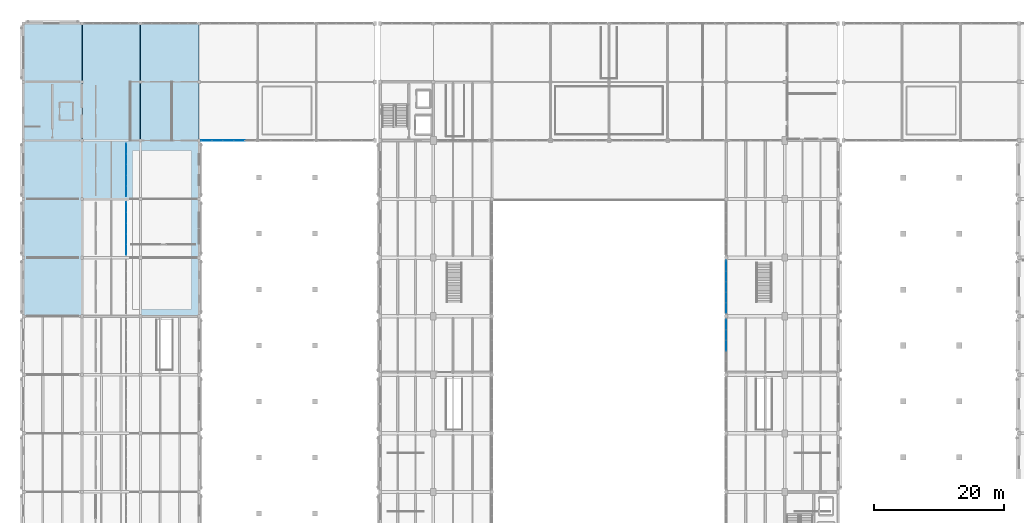
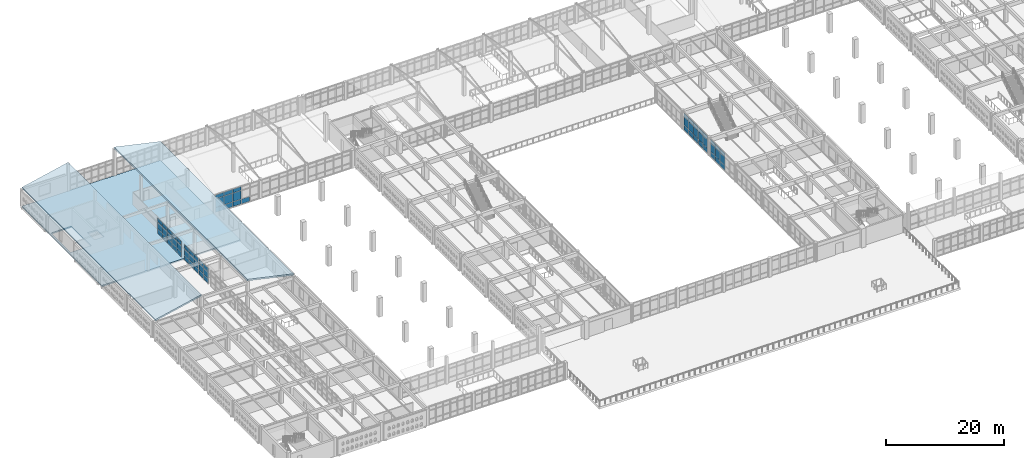
# One storey, part 112 of 156: 64 plates, 3 slabs, 5 elements without a shape of their own.
"""IFC4 building model written with IfcOpenShell, lengths in metres."""

from ifc_helpers import new_model, si_unit, direction, frame, origin, origin_2d, place, context, subcontext, project, spatial, polyline, rectangle, outline, extrude, material, layer, layer_set, type_object, element, aggregate, save


model = new_model("IFC4")

# Units and contexts
model_context = context("Model", 3, precision=1e-05, world=origin(), true_north=direction((0.0, 1.0)))
body_context = subcontext(model_context, "Body", "Model", "MODEL_VIEW")
ifc_project = project(units=[si_unit("LENGTHUNIT", "METRE"), si_unit("AREAUNIT", "SQUARE_METRE"), si_unit("VOLUMEUNIT", "CUBIC_METRE"), si_unit("PLANEANGLEUNIT", "RADIAN"), si_unit("MASSUNIT", "GRAM", prefix="KILO")], contexts=[model_context])

# Site, building, storey
site_placement = place(None, origin())
site = spatial("IfcSite", under=ifc_project, at=site_placement, CompositionType="ELEMENT")
building_placement = place(site_placement, origin())
building = spatial("IfcBuilding", under=site, at=building_placement, Name="Ornek Quay Market", CompositionType="ELEMENT")
storey_placement = place(building_placement, frame((0.0, 0.0, 4.5)))
storey = spatial("IfcBuildingStorey", under=building, at=storey_placement, Name="L01", CompositionType="ELEMENT", Elevation=4.5)

# Curtain wall, plates
ifc_material_1 = material(Name="Anodised bronze aluminium and triple low-e glass", Category="aluminium")
ifc_layer_1 = layer(ifc_material_1, 0.139892578125, Name="Anodised bronze aluminium and triple low-e glass", Category="aluminium")
ifc_layer_set_1 = layer_set([ifc_layer_1], Name="Anodised bronze aluminium and triple low-e glass")
curtain_wall_type_1 = type_object("IfcCurtainWallType", Name="CW-GALLERY-INT", PredefinedType="USERDEFINED", material=ifc_layer_set_1)
curtain_wall_1_placement = place(storey_placement, origin())
curtain_wall_1 = element("IfcCurtainWall", 1, at=curtain_wall_1_placement, inside=storey, type_object=curtain_wall_type_1, Name="Curtain wall CW-106", ObjectType="CURTAIN WALL", PredefinedType="USERDEFINED")
ifc_material_2 = material(Name="Toughened laminated acoustic glass", Category="glass")
ifc_layer_2 = layer(ifc_material_2, 0.01611328125, Name="Toughened laminated acoustic glass", Category="glass")
ifc_layer_set_2 = layer_set([ifc_layer_2], Name="Toughened laminated acoustic glass")
plate_type_1 = type_object("IfcPlateType", Name="PL-CW-INT-16", PredefinedType="CURTAIN_PANEL", material=ifc_layer_set_2)
plate_1_placement = place(storey_placement, frame((108.0, 60.5, 0.06005859375), z_axis=(0.0, 0.0, 1.0), x_axis=(0.0, 1.0, 0.0)))
plate_1 = element("IfcPlate", 2, at=plate_1_placement, type_object=plate_type_1, Name="CW-106 panel 3.1", PredefinedType="CURTAIN_PANEL", context=body_context, shape_type="SweptSolid", body=[
    extrude(rectangle(XDim=1.56005859375, YDim=0.01611328125, at=origin_2d()), origin(), (0.0, 0.0, 1.0), 0.9599609375),
])
plate_2_placement = place(storey_placement, frame((108.0, 60.5, 1.080078125), z_axis=(0.0, 0.0, 1.0), x_axis=(0.0, 1.0, 0.0)))
plate_2 = element("IfcPlate", 3, at=plate_2_placement, type_object=plate_type_1, Name="CW-106 panel 3.2", PredefinedType="CURTAIN_PANEL", context=body_context, shape_type="SweptSolid", body=[
    extrude(rectangle(XDim=1.56005859375, YDim=0.01611328125, at=origin_2d()), origin(), (0.0, 0.0, 1.0), 1.699951171875),
])
plate_3_placement = place(storey_placement, frame((108.0, 60.5, 2.83984375), z_axis=(0.0, 0.0, 1.0), x_axis=(0.0, 1.0, 0.0)))
plate_3 = element("IfcPlate", 4, at=plate_3_placement, type_object=plate_type_1, Name="CW-106 panel 3.3", PredefinedType="CURTAIN_PANEL", context=body_context, shape_type="SweptSolid", body=[
    extrude(rectangle(XDim=1.56005859375, YDim=0.01611328125, at=origin_2d()), origin(), (0.0, 0.0, 1.0), 0.760009765625),
])
plate_4_placement = place(storey_placement, frame((108.0, 62.1201171875, 0.06005859375), z_axis=(0.0, 0.0, 1.0), x_axis=(0.0, 1.0, 0.0)))
plate_4 = element("IfcPlate", 5, at=plate_4_placement, type_object=plate_type_1, Name="CW-106 panel 4.1", PredefinedType="CURTAIN_PANEL", context=body_context, shape_type="SweptSolid", body=[
    extrude(rectangle(XDim=1.56005859375, YDim=0.01611328125, at=origin_2d()), origin(), (0.0, 0.0, 1.0), 0.9599609375),
])
plate_5_placement = place(storey_placement, frame((108.0, 62.1201171875, 1.080078125), z_axis=(0.0, 0.0, 1.0), x_axis=(0.0, 1.0, 0.0)))
plate_5 = element("IfcPlate", 6, at=plate_5_placement, type_object=plate_type_1, Name="CW-106 panel 4.2", PredefinedType="CURTAIN_PANEL", context=body_context, shape_type="SweptSolid", body=[
    extrude(rectangle(XDim=1.56005859375, YDim=0.01611328125, at=origin_2d()), origin(), (0.0, 0.0, 1.0), 1.699951171875),
])
plate_6_placement = place(storey_placement, frame((108.0, 62.1201171875, 2.83984375), z_axis=(0.0, 0.0, 1.0), x_axis=(0.0, 1.0, 0.0)))
plate_6 = element("IfcPlate", 7, at=plate_6_placement, type_object=plate_type_1, Name="CW-106 panel 4.3", PredefinedType="CURTAIN_PANEL", context=body_context, shape_type="SweptSolid", body=[
    extrude(rectangle(XDim=1.56005859375, YDim=0.01611328125, at=origin_2d()), origin(), (0.0, 0.0, 1.0), 0.760009765625),
])
plate_7_placement = place(storey_placement, frame((108.0, 63.72509765625, 0.06005859375), z_axis=(0.0, 0.0, 1.0), x_axis=(0.0, 1.0, 0.0)))
plate_7 = element("IfcPlate", 8, at=plate_7_placement, type_object=plate_type_1, Name="CW-106 panel 5.1", PredefinedType="CURTAIN_PANEL", context=body_context, shape_type="SweptSolid", body=[
    extrude(rectangle(XDim=1.530029296875, YDim=0.01611328125, at=origin_2d()), origin(), (0.0, 0.0, 1.0), 0.9599609375),
])
plate_8_placement = place(storey_placement, frame((108.0, 63.72509765625, 1.080078125), z_axis=(0.0, 0.0, 1.0), x_axis=(0.0, 1.0, 0.0)))
plate_8 = element("IfcPlate", 9, at=plate_8_placement, type_object=plate_type_1, Name="CW-106 panel 5.2", PredefinedType="CURTAIN_PANEL", context=body_context, shape_type="SweptSolid", body=[
    extrude(rectangle(XDim=1.530029296875, YDim=0.01611328125, at=origin_2d()), origin(), (0.0, 0.0, 1.0), 1.699951171875),
])
plate_9_placement = place(storey_placement, frame((108.0, 63.72509765625, 2.83984375), z_axis=(0.0, 0.0, 1.0), x_axis=(0.0, 1.0, 0.0)))
plate_9 = element("IfcPlate", 10, at=plate_9_placement, type_object=plate_type_1, Name="CW-106 panel 5.3", PredefinedType="CURTAIN_PANEL", context=body_context, shape_type="SweptSolid", body=[
    extrude(rectangle(XDim=1.530029296875, YDim=0.01611328125, at=origin_2d()), origin(), (0.0, 0.0, 1.0), 0.760009765625),
])
aggregate(curtain_wall_1, [plate_1, plate_2, plate_3, plate_4, plate_5, plate_6, plate_7, plate_8, plate_9])

curtain_wall_2_placement = place(storey_placement, origin())
curtain_wall_2 = element("IfcCurtainWall", 11, at=curtain_wall_2_placement, inside=storey, type_object=curtain_wall_type_1, Name="Curtain wall CW-107", ObjectType="CURTAIN WALL", PredefinedType="USERDEFINED")
plate_10_placement = place(storey_placement, frame((108.0, 66.27490234375, 0.06005859375), z_axis=(0.0, 0.0, 1.0), x_axis=(0.0, 1.0, 0.0)))
plate_10 = element("IfcPlate", 12, at=plate_10_placement, type_object=plate_type_1, Name="CW-107 panel 1.1", PredefinedType="CURTAIN_PANEL", context=body_context, shape_type="SweptSolid", body=[
    extrude(rectangle(XDim=1.530029296875, YDim=0.01611328125, at=origin_2d()), origin(), (0.0, 0.0, 1.0), 0.9599609375),
])
plate_11_placement = place(storey_placement, frame((108.0, 66.27490234375, 1.080078125), z_axis=(0.0, 0.0, 1.0), x_axis=(0.0, 1.0, 0.0)))
plate_11 = element("IfcPlate", 13, at=plate_11_placement, type_object=plate_type_1, Name="CW-107 panel 1.2", PredefinedType="CURTAIN_PANEL", context=body_context, shape_type="SweptSolid", body=[
    extrude(rectangle(XDim=1.530029296875, YDim=0.01611328125, at=origin_2d()), origin(), (0.0, 0.0, 1.0), 1.699951171875),
])
plate_12_placement = place(storey_placement, frame((108.0, 66.27490234375, 2.83984375), z_axis=(0.0, 0.0, 1.0), x_axis=(0.0, 1.0, 0.0)))
plate_12 = element("IfcPlate", 14, at=plate_12_placement, type_object=plate_type_1, Name="CW-107 panel 1.3", PredefinedType="CURTAIN_PANEL", context=body_context, shape_type="SweptSolid", body=[
    extrude(rectangle(XDim=1.530029296875, YDim=0.01611328125, at=origin_2d()), origin(), (0.0, 0.0, 1.0), 0.760009765625),
])
plate_13_placement = place(storey_placement, frame((108.0, 67.8798828125, 0.06005859375), z_axis=(0.0, 0.0, 1.0), x_axis=(0.0, 1.0, 0.0)))
plate_13 = element("IfcPlate", 15, at=plate_13_placement, type_object=plate_type_1, Name="CW-107 panel 2.1", PredefinedType="CURTAIN_PANEL", context=body_context, shape_type="SweptSolid", body=[
    extrude(rectangle(XDim=1.56005859375, YDim=0.01611328125, at=origin_2d()), origin(), (0.0, 0.0, 1.0), 0.9599609375),
])
plate_14_placement = place(storey_placement, frame((108.0, 67.8798828125, 1.080078125), z_axis=(0.0, 0.0, 1.0), x_axis=(0.0, 1.0, 0.0)))
plate_14 = element("IfcPlate", 16, at=plate_14_placement, type_object=plate_type_1, Name="CW-107 panel 2.2", PredefinedType="CURTAIN_PANEL", context=body_context, shape_type="SweptSolid", body=[
    extrude(rectangle(XDim=1.56005859375, YDim=0.01611328125, at=origin_2d()), origin(), (0.0, 0.0, 1.0), 1.699951171875),
])
plate_15_placement = place(storey_placement, frame((108.0, 67.8798828125, 2.83984375), z_axis=(0.0, 0.0, 1.0), x_axis=(0.0, 1.0, 0.0)))
plate_15 = element("IfcPlate", 17, at=plate_15_placement, type_object=plate_type_1, Name="CW-107 panel 2.3", PredefinedType="CURTAIN_PANEL", context=body_context, shape_type="SweptSolid", body=[
    extrude(rectangle(XDim=1.56005859375, YDim=0.01611328125, at=origin_2d()), origin(), (0.0, 0.0, 1.0), 0.760009765625),
])
plate_16_placement = place(storey_placement, frame((108.0, 69.5, 0.06005859375), z_axis=(0.0, 0.0, 1.0), x_axis=(0.0, 1.0, 0.0)))
plate_16 = element("IfcPlate", 18, at=plate_16_placement, type_object=plate_type_1, Name="CW-107 panel 3.1", PredefinedType="CURTAIN_PANEL", context=body_context, shape_type="SweptSolid", body=[
    extrude(rectangle(XDim=1.56005859375, YDim=0.01611328125, at=origin_2d()), origin(), (0.0, 0.0, 1.0), 0.9599609375),
])
plate_17_placement = place(storey_placement, frame((108.0, 69.5, 1.080078125), z_axis=(0.0, 0.0, 1.0), x_axis=(0.0, 1.0, 0.0)))
plate_17 = element("IfcPlate", 19, at=plate_17_placement, type_object=plate_type_1, Name="CW-107 panel 3.2", PredefinedType="CURTAIN_PANEL", context=body_context, shape_type="SweptSolid", body=[
    extrude(rectangle(XDim=1.56005859375, YDim=0.01611328125, at=origin_2d()), origin(), (0.0, 0.0, 1.0), 1.699951171875),
])
plate_18_placement = place(storey_placement, frame((108.0, 69.5, 2.83984375), z_axis=(0.0, 0.0, 1.0), x_axis=(0.0, 1.0, 0.0)))
plate_18 = element("IfcPlate", 20, at=plate_18_placement, type_object=plate_type_1, Name="CW-107 panel 3.3", PredefinedType="CURTAIN_PANEL", context=body_context, shape_type="SweptSolid", body=[
    extrude(rectangle(XDim=1.56005859375, YDim=0.01611328125, at=origin_2d()), origin(), (0.0, 0.0, 1.0), 0.760009765625),
])
plate_19_placement = place(storey_placement, frame((108.0, 71.1201171875, 0.06005859375), z_axis=(0.0, 0.0, 1.0), x_axis=(0.0, 1.0, 0.0)))
plate_19 = element("IfcPlate", 21, at=plate_19_placement, type_object=plate_type_1, Name="CW-107 panel 4.1", PredefinedType="CURTAIN_PANEL", context=body_context, shape_type="SweptSolid", body=[
    extrude(rectangle(XDim=1.56005859375, YDim=0.01611328125, at=origin_2d()), origin(), (0.0, 0.0, 1.0), 0.9599609375),
])
plate_20_placement = place(storey_placement, frame((108.0, 71.1201171875, 1.080078125), z_axis=(0.0, 0.0, 1.0), x_axis=(0.0, 1.0, 0.0)))
plate_20 = element("IfcPlate", 22, at=plate_20_placement, type_object=plate_type_1, Name="CW-107 panel 4.2", PredefinedType="CURTAIN_PANEL", context=body_context, shape_type="SweptSolid", body=[
    extrude(rectangle(XDim=1.56005859375, YDim=0.01611328125, at=origin_2d()), origin(), (0.0, 0.0, 1.0), 1.699951171875),
])
plate_21_placement = place(storey_placement, frame((108.0, 71.1201171875, 2.83984375), z_axis=(0.0, 0.0, 1.0), x_axis=(0.0, 1.0, 0.0)))
plate_21 = element("IfcPlate", 23, at=plate_21_placement, type_object=plate_type_1, Name="CW-107 panel 4.3", PredefinedType="CURTAIN_PANEL", context=body_context, shape_type="SweptSolid", body=[
    extrude(rectangle(XDim=1.56005859375, YDim=0.01611328125, at=origin_2d()), origin(), (0.0, 0.0, 1.0), 0.760009765625),
])
plate_22_placement = place(storey_placement, frame((108.0, 72.72509765625, 0.06005859375), z_axis=(0.0, 0.0, 1.0), x_axis=(0.0, 1.0, 0.0)))
plate_22 = element("IfcPlate", 24, at=plate_22_placement, type_object=plate_type_1, Name="CW-107 panel 5.1", PredefinedType="CURTAIN_PANEL", context=body_context, shape_type="SweptSolid", body=[
    extrude(rectangle(XDim=1.530029296875, YDim=0.01611328125, at=origin_2d()), origin(), (0.0, 0.0, 1.0), 0.9599609375),
])
plate_23_placement = place(storey_placement, frame((108.0, 72.72509765625, 1.080078125), z_axis=(0.0, 0.0, 1.0), x_axis=(0.0, 1.0, 0.0)))
plate_23 = element("IfcPlate", 25, at=plate_23_placement, type_object=plate_type_1, Name="CW-107 panel 5.2", PredefinedType="CURTAIN_PANEL", context=body_context, shape_type="SweptSolid", body=[
    extrude(rectangle(XDim=1.530029296875, YDim=0.01611328125, at=origin_2d()), origin(), (0.0, 0.0, 1.0), 1.699951171875),
])
plate_24_placement = place(storey_placement, frame((108.0, 72.72509765625, 2.83984375), z_axis=(0.0, 0.0, 1.0), x_axis=(0.0, 1.0, 0.0)))
plate_24 = element("IfcPlate", 26, at=plate_24_placement, type_object=plate_type_1, Name="CW-107 panel 5.3", PredefinedType="CURTAIN_PANEL", context=body_context, shape_type="SweptSolid", body=[
    extrude(rectangle(XDim=1.530029296875, YDim=0.01611328125, at=origin_2d()), origin(), (0.0, 0.0, 1.0), 0.760009765625),
])
aggregate(curtain_wall_2, [plate_10, plate_11, plate_12, plate_13, plate_14, plate_15, plate_16, plate_17, plate_18, plate_19, plate_20, plate_21, plate_22, plate_23, plate_24])

ifc_layer_3 = layer(ifc_material_1, 0.179931640625, Name="Anodised bronze aluminium and triple low-e glass", Category="aluminium")
ifc_layer_set_3 = layer_set([ifc_layer_3], Name="Anodised bronze aluminium and triple low-e glass")
curtain_wall_type_2 = type_object("IfcCurtainWallType", Name="CW-CONC-MOD1500", PredefinedType="USERDEFINED", material=ifc_layer_set_3)
curtain_wall_3_placement = place(storey_placement, origin())
curtain_wall_3 = element("IfcCurtainWall", 27, at=curtain_wall_3_placement, inside=storey, type_object=curtain_wall_type_2, Name="Curtain wall CW-143", ObjectType="CURTAIN WALL", PredefinedType="USERDEFINED")
plate_25_placement = place(storey_placement, frame((15.800048828125, 75.235107421875, 0.06005859375), z_axis=(0.0, 0.0, 1.0), x_axis=(0.0, 1.0, 0.0)))
plate_25 = element("IfcPlate", 28, at=plate_25_placement, type_object=plate_type_1, Name="CW-143 panel 1.1", PredefinedType="CURTAIN_PANEL", context=body_context, shape_type="SweptSolid", body=[
    extrude(rectangle(XDim=1.550048828125, YDim=0.01611328125, at=origin_2d()), origin(), (0.0, 0.0, 1.0), 0.9599609375),
])
plate_26_placement = place(storey_placement, frame((15.800048828125, 75.235107421875, 1.080078125), z_axis=(0.0, 0.0, 1.0), x_axis=(0.0, 1.0, 0.0)))
plate_26 = element("IfcPlate", 29, at=plate_26_placement, type_object=plate_type_1, Name="CW-143 panel 1.2", PredefinedType="CURTAIN_PANEL", context=body_context, shape_type="SweptSolid", body=[
    extrude(rectangle(XDim=1.550048828125, YDim=0.01611328125, at=origin_2d()), origin(), (0.0, 0.0, 1.0), 1.340087890625),
])
plate_27_placement = place(storey_placement, frame((15.800048828125, 75.235107421875, 2.47998046875), z_axis=(0.0, 0.0, 1.0), x_axis=(0.0, 1.0, 0.0)))
plate_27 = element("IfcPlate", 30, at=plate_27_placement, type_object=plate_type_1, Name="CW-143 panel 1.3", PredefinedType="CURTAIN_PANEL", context=body_context, shape_type="SweptSolid", body=[
    extrude(rectangle(XDim=1.550048828125, YDim=0.01611328125, at=origin_2d()), origin(), (0.0, 0.0, 1.0), 0.760009765625),
])
plate_28_placement = place(storey_placement, frame((15.800048828125, 76.860107421875, 0.06005859375), z_axis=(0.0, 0.0, 1.0), x_axis=(0.0, 1.0, 0.0)))
plate_28 = element("IfcPlate", 31, at=plate_28_placement, type_object=plate_type_1, Name="CW-143 panel 2.1", PredefinedType="CURTAIN_PANEL", context=body_context, shape_type="SweptSolid", body=[
    extrude(rectangle(XDim=1.580078125, YDim=0.01611328125, at=origin_2d()), origin(), (0.0, 0.0, 1.0), 0.9599609375),
])
plate_29_placement = place(storey_placement, frame((15.800048828125, 76.860107421875, 1.080078125), z_axis=(0.0, 0.0, 1.0), x_axis=(0.0, 1.0, 0.0)))
plate_29 = element("IfcPlate", 32, at=plate_29_placement, type_object=plate_type_1, Name="CW-143 panel 2.2", PredefinedType="CURTAIN_PANEL", context=body_context, shape_type="SweptSolid", body=[
    extrude(rectangle(XDim=1.580078125, YDim=0.01611328125, at=origin_2d()), origin(), (0.0, 0.0, 1.0), 1.340087890625),
])
plate_30_placement = place(storey_placement, frame((15.800048828125, 76.860107421875, 2.47998046875), z_axis=(0.0, 0.0, 1.0), x_axis=(0.0, 1.0, 0.0)))
plate_30 = element("IfcPlate", 33, at=plate_30_placement, type_object=plate_type_1, Name="CW-143 panel 2.3", PredefinedType="CURTAIN_PANEL", context=body_context, shape_type="SweptSolid", body=[
    extrude(rectangle(XDim=1.580078125, YDim=0.01611328125, at=origin_2d()), origin(), (0.0, 0.0, 1.0), 0.760009765625),
])
plate_31_placement = place(storey_placement, frame((15.800048828125, 78.5, 0.06005859375), z_axis=(0.0, 0.0, 1.0), x_axis=(0.0, 1.0, 0.0)))
plate_31 = element("IfcPlate", 34, at=plate_31_placement, type_object=plate_type_1, Name="CW-143 panel 3.1", PredefinedType="CURTAIN_PANEL", context=body_context, shape_type="SweptSolid", body=[
    extrude(rectangle(XDim=1.580078125, YDim=0.01611328125, at=origin_2d()), origin(), (0.0, 0.0, 1.0), 0.9599609375),
])
plate_32_placement = place(storey_placement, frame((15.800048828125, 78.5, 1.080078125), z_axis=(0.0, 0.0, 1.0), x_axis=(0.0, 1.0, 0.0)))
plate_32 = element("IfcPlate", 35, at=plate_32_placement, type_object=plate_type_1, Name="CW-143 panel 3.2", PredefinedType="CURTAIN_PANEL", context=body_context, shape_type="SweptSolid", body=[
    extrude(rectangle(XDim=1.580078125, YDim=0.01611328125, at=origin_2d()), origin(), (0.0, 0.0, 1.0), 1.340087890625),
])
plate_33_placement = place(storey_placement, frame((15.800048828125, 78.5, 2.47998046875), z_axis=(0.0, 0.0, 1.0), x_axis=(0.0, 1.0, 0.0)))
plate_33 = element("IfcPlate", 36, at=plate_33_placement, type_object=plate_type_1, Name="CW-143 panel 3.3", PredefinedType="CURTAIN_PANEL", context=body_context, shape_type="SweptSolid", body=[
    extrude(rectangle(XDim=1.580078125, YDim=0.01611328125, at=origin_2d()), origin(), (0.0, 0.0, 1.0), 0.760009765625),
])
plate_34_placement = place(storey_placement, frame((15.800048828125, 80.139892578125, 0.06005859375), z_axis=(0.0, 0.0, 1.0), x_axis=(0.0, 1.0, 0.0)))
plate_34 = element("IfcPlate", 37, at=plate_34_placement, type_object=plate_type_1, Name="CW-143 panel 4.1", PredefinedType="CURTAIN_PANEL", context=body_context, shape_type="SweptSolid", body=[
    extrude(rectangle(XDim=1.580078125, YDim=0.01611328125, at=origin_2d()), origin(), (0.0, 0.0, 1.0), 0.9599609375),
])
plate_35_placement = place(storey_placement, frame((15.800048828125, 80.139892578125, 1.080078125), z_axis=(0.0, 0.0, 1.0), x_axis=(0.0, 1.0, 0.0)))
plate_35 = element("IfcPlate", 38, at=plate_35_placement, type_object=plate_type_1, Name="CW-143 panel 4.2", PredefinedType="CURTAIN_PANEL", context=body_context, shape_type="SweptSolid", body=[
    extrude(rectangle(XDim=1.580078125, YDim=0.01611328125, at=origin_2d()), origin(), (0.0, 0.0, 1.0), 1.340087890625),
])
plate_36_placement = place(storey_placement, frame((15.800048828125, 80.139892578125, 2.47998046875), z_axis=(0.0, 0.0, 1.0), x_axis=(0.0, 1.0, 0.0)))
plate_36 = element("IfcPlate", 39, at=plate_36_placement, type_object=plate_type_1, Name="CW-143 panel 4.3", PredefinedType="CURTAIN_PANEL", context=body_context, shape_type="SweptSolid", body=[
    extrude(rectangle(XDim=1.580078125, YDim=0.01611328125, at=origin_2d()), origin(), (0.0, 0.0, 1.0), 0.760009765625),
])
plate_37_placement = place(storey_placement, frame((15.800048828125, 81.764892578125, 0.06005859375), z_axis=(0.0, 0.0, 1.0), x_axis=(0.0, 1.0, 0.0)))
plate_37 = element("IfcPlate", 40, at=plate_37_placement, type_object=plate_type_1, Name="CW-143 panel 5.1", PredefinedType="CURTAIN_PANEL", context=body_context, shape_type="SweptSolid", body=[
    extrude(rectangle(XDim=1.550048828125, YDim=0.01611328125, at=origin_2d()), origin(), (0.0, 0.0, 1.0), 0.9599609375),
])
plate_38_placement = place(storey_placement, frame((15.800048828125, 81.764892578125, 1.080078125), z_axis=(0.0, 0.0, 1.0), x_axis=(0.0, 1.0, 0.0)))
plate_38 = element("IfcPlate", 41, at=plate_38_placement, type_object=plate_type_1, Name="CW-143 panel 5.2", PredefinedType="CURTAIN_PANEL", context=body_context, shape_type="SweptSolid", body=[
    extrude(rectangle(XDim=1.550048828125, YDim=0.01611328125, at=origin_2d()), origin(), (0.0, 0.0, 1.0), 1.340087890625),
])
plate_39_placement = place(storey_placement, frame((15.800048828125, 81.764892578125, 2.47998046875), z_axis=(0.0, 0.0, 1.0), x_axis=(0.0, 1.0, 0.0)))
plate_39 = element("IfcPlate", 42, at=plate_39_placement, type_object=plate_type_1, Name="CW-143 panel 5.3", PredefinedType="CURTAIN_PANEL", context=body_context, shape_type="SweptSolid", body=[
    extrude(rectangle(XDim=1.550048828125, YDim=0.01611328125, at=origin_2d()), origin(), (0.0, 0.0, 1.0), 0.760009765625),
])
aggregate(curtain_wall_3, [plate_25, plate_26, plate_27, plate_28, plate_29, plate_30, plate_31, plate_32, plate_33, plate_34, plate_35, plate_36, plate_37, plate_38, plate_39])

curtain_wall_4_placement = place(storey_placement, origin())
curtain_wall_4 = element("IfcCurtainWall", 43, at=curtain_wall_4_placement, inside=storey, type_object=curtain_wall_type_2, Name="Curtain wall CW-145", ObjectType="CURTAIN WALL", PredefinedType="USERDEFINED")
plate_40_placement = place(storey_placement, frame((15.800048828125, 84.235107421875, 0.06005859375), z_axis=(0.0, 0.0, 1.0), x_axis=(0.0, 1.0, 0.0)))
plate_40 = element("IfcPlate", 44, at=plate_40_placement, type_object=plate_type_1, Name="CW-145 panel 1.1", PredefinedType="CURTAIN_PANEL", context=body_context, shape_type="SweptSolid", body=[
    extrude(rectangle(XDim=1.550048828125, YDim=0.01611328125, at=origin_2d()), origin(), (0.0, 0.0, 1.0), 0.9599609375),
])
plate_41_placement = place(storey_placement, frame((15.800048828125, 84.235107421875, 1.080078125), z_axis=(0.0, 0.0, 1.0), x_axis=(0.0, 1.0, 0.0)))
plate_41 = element("IfcPlate", 45, at=plate_41_placement, type_object=plate_type_1, Name="CW-145 panel 1.2", PredefinedType="CURTAIN_PANEL", context=body_context, shape_type="SweptSolid", body=[
    extrude(rectangle(XDim=1.550048828125, YDim=0.01611328125, at=origin_2d()), origin(), (0.0, 0.0, 1.0), 1.340087890625),
])
plate_42_placement = place(storey_placement, frame((15.800048828125, 84.235107421875, 2.47998046875), z_axis=(0.0, 0.0, 1.0), x_axis=(0.0, 1.0, 0.0)))
plate_42 = element("IfcPlate", 46, at=plate_42_placement, type_object=plate_type_1, Name="CW-145 panel 1.3", PredefinedType="CURTAIN_PANEL", context=body_context, shape_type="SweptSolid", body=[
    extrude(rectangle(XDim=1.550048828125, YDim=0.01611328125, at=origin_2d()), origin(), (0.0, 0.0, 1.0), 0.760009765625),
])
plate_43_placement = place(storey_placement, frame((15.800048828125, 85.860107421875, 0.06005859375), z_axis=(0.0, 0.0, 1.0), x_axis=(0.0, 1.0, 0.0)))
plate_43 = element("IfcPlate", 47, at=plate_43_placement, type_object=plate_type_1, Name="CW-145 panel 2.1", PredefinedType="CURTAIN_PANEL", context=body_context, shape_type="SweptSolid", body=[
    extrude(rectangle(XDim=1.580078125, YDim=0.01611328125, at=origin_2d()), origin(), (0.0, 0.0, 1.0), 0.9599609375),
])
plate_44_placement = place(storey_placement, frame((15.800048828125, 85.860107421875, 1.080078125), z_axis=(0.0, 0.0, 1.0), x_axis=(0.0, 1.0, 0.0)))
plate_44 = element("IfcPlate", 48, at=plate_44_placement, type_object=plate_type_1, Name="CW-145 panel 2.2", PredefinedType="CURTAIN_PANEL", context=body_context, shape_type="SweptSolid", body=[
    extrude(rectangle(XDim=1.580078125, YDim=0.01611328125, at=origin_2d()), origin(), (0.0, 0.0, 1.0), 1.340087890625),
])
plate_45_placement = place(storey_placement, frame((15.800048828125, 85.860107421875, 2.47998046875), z_axis=(0.0, 0.0, 1.0), x_axis=(0.0, 1.0, 0.0)))
plate_45 = element("IfcPlate", 49, at=plate_45_placement, type_object=plate_type_1, Name="CW-145 panel 2.3", PredefinedType="CURTAIN_PANEL", context=body_context, shape_type="SweptSolid", body=[
    extrude(rectangle(XDim=1.580078125, YDim=0.01611328125, at=origin_2d()), origin(), (0.0, 0.0, 1.0), 0.760009765625),
])
plate_46_placement = place(storey_placement, frame((15.800048828125, 87.5, 0.06005859375), z_axis=(0.0, 0.0, 1.0), x_axis=(0.0, 1.0, 0.0)))
plate_46 = element("IfcPlate", 50, at=plate_46_placement, type_object=plate_type_1, Name="CW-145 panel 3.1", PredefinedType="CURTAIN_PANEL", context=body_context, shape_type="SweptSolid", body=[
    extrude(rectangle(XDim=1.580078125, YDim=0.01611328125, at=origin_2d()), origin(), (0.0, 0.0, 1.0), 0.9599609375),
])
plate_47_placement = place(storey_placement, frame((15.800048828125, 87.5, 1.080078125), z_axis=(0.0, 0.0, 1.0), x_axis=(0.0, 1.0, 0.0)))
plate_47 = element("IfcPlate", 51, at=plate_47_placement, type_object=plate_type_1, Name="CW-145 panel 3.2", PredefinedType="CURTAIN_PANEL", context=body_context, shape_type="SweptSolid", body=[
    extrude(rectangle(XDim=1.580078125, YDim=0.01611328125, at=origin_2d()), origin(), (0.0, 0.0, 1.0), 1.340087890625),
])
plate_48_placement = place(storey_placement, frame((15.800048828125, 87.5, 2.47998046875), z_axis=(0.0, 0.0, 1.0), x_axis=(0.0, 1.0, 0.0)))
plate_48 = element("IfcPlate", 52, at=plate_48_placement, type_object=plate_type_1, Name="CW-145 panel 3.3", PredefinedType="CURTAIN_PANEL", context=body_context, shape_type="SweptSolid", body=[
    extrude(rectangle(XDim=1.580078125, YDim=0.01611328125, at=origin_2d()), origin(), (0.0, 0.0, 1.0), 0.760009765625),
])
plate_49_placement = place(storey_placement, frame((15.800048828125, 89.139892578125, 0.06005859375), z_axis=(0.0, 0.0, 1.0), x_axis=(0.0, 1.0, 0.0)))
plate_49 = element("IfcPlate", 53, at=plate_49_placement, type_object=plate_type_1, Name="CW-145 panel 4.1", PredefinedType="CURTAIN_PANEL", context=body_context, shape_type="SweptSolid", body=[
    extrude(rectangle(XDim=1.580078125, YDim=0.01611328125, at=origin_2d()), origin(), (0.0, 0.0, 1.0), 0.9599609375),
])
plate_50_placement = place(storey_placement, frame((15.800048828125, 89.139892578125, 1.080078125), z_axis=(0.0, 0.0, 1.0), x_axis=(0.0, 1.0, 0.0)))
plate_50 = element("IfcPlate", 54, at=plate_50_placement, type_object=plate_type_1, Name="CW-145 panel 4.2", PredefinedType="CURTAIN_PANEL", context=body_context, shape_type="SweptSolid", body=[
    extrude(rectangle(XDim=1.580078125, YDim=0.01611328125, at=origin_2d()), origin(), (0.0, 0.0, 1.0), 1.340087890625),
])
plate_51_placement = place(storey_placement, frame((15.800048828125, 89.139892578125, 2.47998046875), z_axis=(0.0, 0.0, 1.0), x_axis=(0.0, 1.0, 0.0)))
plate_51 = element("IfcPlate", 55, at=plate_51_placement, type_object=plate_type_1, Name="CW-145 panel 4.3", PredefinedType="CURTAIN_PANEL", context=body_context, shape_type="SweptSolid", body=[
    extrude(rectangle(XDim=1.580078125, YDim=0.01611328125, at=origin_2d()), origin(), (0.0, 0.0, 1.0), 0.760009765625),
])
plate_52_placement = place(storey_placement, frame((15.800048828125, 90.764892578125, 0.06005859375), z_axis=(0.0, 0.0, 1.0), x_axis=(0.0, 1.0, 0.0)))
plate_52 = element("IfcPlate", 56, at=plate_52_placement, type_object=plate_type_1, Name="CW-145 panel 5.1", PredefinedType="CURTAIN_PANEL", context=body_context, shape_type="SweptSolid", body=[
    extrude(rectangle(XDim=1.550048828125, YDim=0.01611328125, at=origin_2d()), origin(), (0.0, 0.0, 1.0), 0.9599609375),
])
plate_53_placement = place(storey_placement, frame((15.800048828125, 90.764892578125, 1.080078125), z_axis=(0.0, 0.0, 1.0), x_axis=(0.0, 1.0, 0.0)))
plate_53 = element("IfcPlate", 57, at=plate_53_placement, type_object=plate_type_1, Name="CW-145 panel 5.2", PredefinedType="CURTAIN_PANEL", context=body_context, shape_type="SweptSolid", body=[
    extrude(rectangle(XDim=1.550048828125, YDim=0.01611328125, at=origin_2d()), origin(), (0.0, 0.0, 1.0), 1.340087890625),
])
plate_54_placement = place(storey_placement, frame((15.800048828125, 90.764892578125, 2.47998046875), z_axis=(0.0, 0.0, 1.0), x_axis=(0.0, 1.0, 0.0)))
plate_54 = element("IfcPlate", 58, at=plate_54_placement, type_object=plate_type_1, Name="CW-145 panel 5.3", PredefinedType="CURTAIN_PANEL", context=body_context, shape_type="SweptSolid", body=[
    extrude(rectangle(XDim=1.550048828125, YDim=0.01611328125, at=origin_2d()), origin(), (0.0, 0.0, 1.0), 0.760009765625),
])
aggregate(curtain_wall_4, [plate_40, plate_41, plate_42, plate_43, plate_44, plate_45, plate_46, plate_47, plate_48, plate_49, plate_50, plate_51, plate_52, plate_53, plate_54])

ifc_layer_4 = layer(ifc_material_1, 0.199951171875, Name="Anodised bronze aluminium and triple low-e glass", Category="aluminium")
ifc_layer_set_4 = layer_set([ifc_layer_4], Name="Anodised bronze aluminium and triple low-e glass")
curtain_wall_type_3 = type_object("IfcCurtainWallType", Name="CW-CONC-MOD1800", PredefinedType="USERDEFINED", material=ifc_layer_set_4)
curtain_wall_5_placement = place(storey_placement, origin())
curtain_wall_5 = element("IfcCurtainWall", 59, at=curtain_wall_5_placement, inside=storey, type_object=curtain_wall_type_3, Name="Curtain wall CW-014", ObjectType="CURTAIN WALL", PredefinedType="USERDEFINED")
ifc_material_3 = material(Name="Triple insulated low-e glass", Category="glass")
ifc_layer_5 = layer(ifc_material_3, 0.0419921875, Name="Triple insulated low-e glass", Category="glass")
ifc_layer_set_5 = layer_set([ifc_layer_5], Name="Triple insulated low-e glass")
plate_type_2 = type_object("IfcPlateType", Name="PL-CW-TRIPLE-42", PredefinedType="CURTAIN_PANEL", material=ifc_layer_set_5)
plate_55_placement = place(storey_placement, frame((28.15625, 92.0, 0.06494140625), z_axis=(0.0, 0.0, 1.0), x_axis=(1.0, 0.0, 0.0)))
plate_55 = element("IfcPlate", 60, at=plate_55_placement, type_object=plate_type_2, Name="CW-014 panel 1.1", PredefinedType="CURTAIN_PANEL", context=body_context, shape_type="SweptSolid", body=[
    extrude(rectangle(XDim=1.58251953125, YDim=0.0419921875, at=origin_2d()), origin(), (0.0, 0.0, 1.0), 0.952392578125),
])
plate_56_placement = place(storey_placement, frame((28.15625, 92.0, 1.08251953125), z_axis=(0.0, 0.0, 1.0), x_axis=(1.0, 0.0, 0.0)))
plate_56 = element("IfcPlate", 61, at=plate_56_placement, type_object=plate_type_2, Name="CW-014 panel 1.2", PredefinedType="CURTAIN_PANEL", context=body_context, shape_type="SweptSolid", body=[
    extrude(rectangle(XDim=1.58251953125, YDim=0.0419921875, at=origin_2d()), origin(), (0.0, 0.0, 1.0), 1.7451171875),
])
plate_57_placement = place(storey_placement, frame((28.15625, 92.0, 2.892578125), z_axis=(0.0, 0.0, 1.0), x_axis=(1.0, 0.0, 0.0)))
plate_57 = element("IfcPlate", 62, at=plate_57_placement, type_object=plate_type_2, Name="CW-014 panel 1.3", PredefinedType="CURTAIN_PANEL", context=body_context, shape_type="SweptSolid", body=[
    extrude(rectangle(XDim=1.58251953125, YDim=0.0419921875, at=origin_2d()), origin(), (0.0, 0.0, 1.0), 0.75244140625),
])
plate_58_placement = place(storey_placement, frame((29.820068359375, 92.0, 0.06494140625), z_axis=(0.0, 0.0, 1.0), x_axis=(1.0, 0.0, 0.0)))
plate_58 = element("IfcPlate", 63, at=plate_58_placement, type_object=plate_type_2, Name="CW-014 panel 2.1", PredefinedType="CURTAIN_PANEL", context=body_context, shape_type="SweptSolid", body=[
    extrude(rectangle(XDim=1.614990234375, YDim=0.0419921875, at=origin_2d()), origin(), (0.0, 0.0, 1.0), 0.952392578125),
])
plate_59_placement = place(storey_placement, frame((29.820068359375, 92.0, 1.08251953125), z_axis=(0.0, 0.0, 1.0), x_axis=(1.0, 0.0, 0.0)))
plate_59 = element("IfcPlate", 64, at=plate_59_placement, type_object=plate_type_2, Name="CW-014 panel 2.2", PredefinedType="CURTAIN_PANEL", context=body_context, shape_type="SweptSolid", body=[
    extrude(rectangle(XDim=1.614990234375, YDim=0.0419921875, at=origin_2d()), origin(), (0.0, 0.0, 1.0), 1.7451171875),
])
plate_60_placement = place(storey_placement, frame((29.820068359375, 92.0, 2.892578125), z_axis=(0.0, 0.0, 1.0), x_axis=(1.0, 0.0, 0.0)))
plate_60 = element("IfcPlate", 65, at=plate_60_placement, type_object=plate_type_2, Name="CW-014 panel 2.3", PredefinedType="CURTAIN_PANEL", context=body_context, shape_type="SweptSolid", body=[
    extrude(rectangle(XDim=1.614990234375, YDim=0.0419921875, at=origin_2d()), origin(), (0.0, 0.0, 1.0), 0.75244140625),
])
plate_61_placement = place(storey_placement, frame((31.5, 92.0, 0.06494140625), z_axis=(0.0, 0.0, 1.0), x_axis=(1.0, 0.0, 0.0)))
plate_61 = element("IfcPlate", 66, at=plate_61_placement, type_object=plate_type_2, Name="CW-014 panel 3.1", PredefinedType="CURTAIN_PANEL", context=body_context, shape_type="SweptSolid", body=[
    extrude(rectangle(XDim=1.614990234375, YDim=0.0419921875, at=origin_2d()), origin(), (0.0, 0.0, 1.0), 0.952392578125),
])
plate_62_placement = place(storey_placement, frame((31.5, 92.0, 1.08251953125), z_axis=(0.0, 0.0, 1.0), x_axis=(1.0, 0.0, 0.0)))
plate_62 = element("IfcPlate", 67, at=plate_62_placement, type_object=plate_type_2, Name="CW-014 panel 3.2", PredefinedType="CURTAIN_PANEL", context=body_context, shape_type="SweptSolid", body=[
    extrude(rectangle(XDim=1.614990234375, YDim=0.0419921875, at=origin_2d()), origin(), (0.0, 0.0, 1.0), 1.7451171875),
])
plate_63_placement = place(storey_placement, frame((31.5, 92.0, 2.892578125), z_axis=(0.0, 0.0, 1.0), x_axis=(1.0, 0.0, 0.0)))
plate_63 = element("IfcPlate", 68, at=plate_63_placement, type_object=plate_type_2, Name="CW-014 panel 3.3", PredefinedType="CURTAIN_PANEL", context=body_context, shape_type="SweptSolid", body=[
    extrude(rectangle(XDim=1.614990234375, YDim=0.0419921875, at=origin_2d()), origin(), (0.0, 0.0, 1.0), 0.75244140625),
])
plate_64_placement = place(storey_placement, frame((33.179931640625, 92.0, 0.06494140625), z_axis=(0.0, 0.0, 1.0), x_axis=(1.0, 0.0, 0.0)))
plate_64 = element("IfcPlate", 69, at=plate_64_placement, type_object=plate_type_2, Name="CW-014 panel 4.1", PredefinedType="CURTAIN_PANEL", context=body_context, shape_type="SweptSolid", body=[
    extrude(rectangle(XDim=1.614990234375, YDim=0.0419921875, at=origin_2d()), origin(), (0.0, 0.0, 1.0), 0.952392578125),
])
aggregate(curtain_wall_5, [plate_55, plate_56, plate_57, plate_58, plate_59, plate_60, plate_61, plate_62, plate_63, plate_64])

# Slabs
ifc_material_4 = material(Name="Concrete C35/45", Category="concrete")
ifc_layer_6 = layer(ifc_material_4, 0.280029296875, Name="Concrete C35/45", Category="concrete")
ifc_layer_set_6 = layer_set([ifc_layer_6], Name="Concrete C35/45")
slab_type_1 = type_object("IfcSlabType", Name="SL-FLR-WING-280", PredefinedType="FLOOR", material=ifc_layer_set_6)
slab_placement = place(storey_placement, frame((0.0, 0.0, -0.280029296875)))
element("IfcSlab", 70, at=slab_placement, inside=storey, type_object=slab_type_1, Name="Slab S-025 (L01)", PredefinedType="FLOOR", context=body_context, shape_type="SweptSolid", body=[
    extrude(outline(polyline([(0.0, 83.0), (27.0, 83.0), (27.0, 110.0), (0.0, 110.0), (0.0, 83.0)]), holes=[polyline([(7.52001953125, 97.669921875), (7.52001953125, 95.330078125), (5.679931640625, 95.330078125), (5.679931640625, 97.669921875), (7.52001953125, 97.669921875)]), polyline([(4.300048828125, 100.699951171875), (4.300048828125, 94.10009765625), (0.300048828125, 94.10009765625), (0.300048828125, 100.699951171875), (4.300048828125, 100.699951171875)])]), origin(), (0.0, 0.0, 1.0), 0.280029296875),
])
ifc_layer_7 = layer(ifc_material_4, 0.31005859375, Name="Concrete C35/45", Category="concrete")
ifc_layer_set_7 = layer_set([ifc_layer_7], Name="Concrete C35/45")
slab_type_2 = type_object("IfcSlabType", Name="SL-RF-WING-310", PredefinedType="ROOF", material=ifc_layer_set_7)
for number, where, z_axis, x_axis, name in (
    (71, (0.0, 65.0, 3.89990234375), (-0.216930457819, 0.0, 0.976187060184), (0.976187060184, 0.0, 0.216930457819), "Sloped roof slab S-041 (L01)"),
    (72, (18.0, 65.0, 5.89990234375), (0.216930457819, 0.0, 0.976187060184), (0.976187060184, 0.0, -0.216930457819), "Sloped roof slab S-043 (L01)"),
):
    element("IfcSlab", number, at=place(storey_placement, frame(where, z_axis=z_axis, x_axis=x_axis)), inside=storey, type_object=slab_type_2, Name=name, PredefinedType="ROOF", context=body_context, shape_type="SweptSolid", body=[
        extrude(outline(polyline([(0.0, 0.0), (9.219544457292889, 0.0), (9.219544457292889, 45.0), (0.0, 45.0), (0.0, 0.0)])), origin(), (0.0, 0.0, -1.0), 0.31005859375),
    ])

save(model, "model.ifc")
